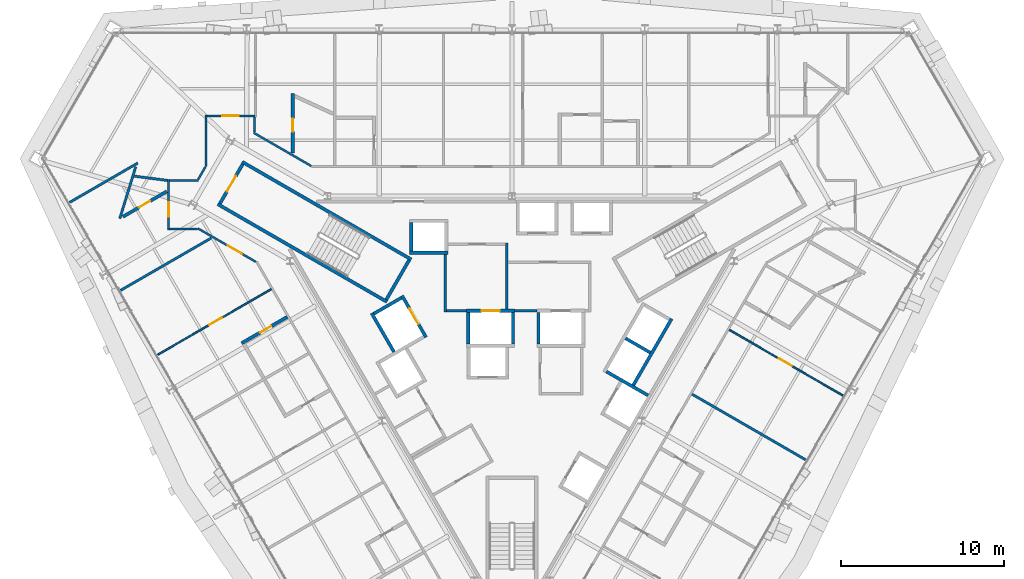
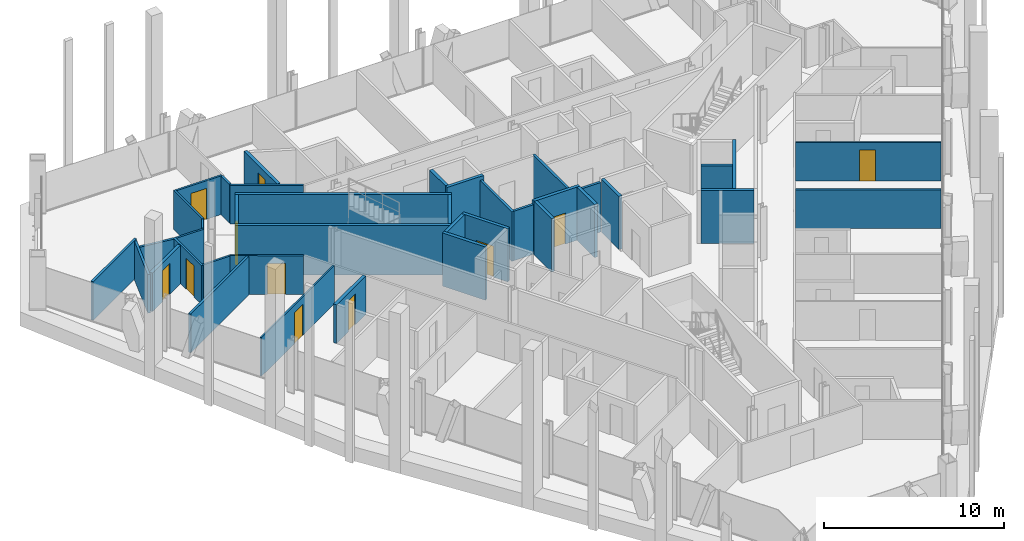
# One storey, part 15 of 19: 39 walls, 11 doors, 11 openings.
"""IFC4 building model written with IfcOpenShell, lengths in metres."""

from ifc_helpers import new_model, si_unit, direction, frame, frame_2d, origin, place, context, subcontext, project, spatial, rectangle, extrude, material, layer, layer_set, type_object, element, fill, save


model = new_model("IFC4")

# Units and contexts
model_context = context("Model", 3, precision=1e-05, world=origin(), true_north=direction((0.0, 1.0)))
body_context = subcontext(model_context, "Body", "Model", "MODEL_VIEW")
ifc_project = project(units=[si_unit("LENGTHUNIT", "METRE"), si_unit("AREAUNIT", "SQUARE_METRE"), si_unit("VOLUMEUNIT", "CUBIC_METRE"), si_unit("PLANEANGLEUNIT", "RADIAN"), si_unit("MASSUNIT", "GRAM", prefix="KILO")], contexts=[model_context])

# Site, building, storey
site_placement = place(None, origin())
site = spatial("IfcSite", under=ifc_project, at=site_placement, CompositionType="ELEMENT")
building_placement = place(site_placement, origin())
building = spatial("IfcBuilding", under=site, at=building_placement, Name="Verrane Prism Tower", CompositionType="ELEMENT")
storey_placement = place(building_placement, frame((0.0, 0.0, 121.60009765625)))
storey = spatial("IfcBuildingStorey", under=building, at=storey_placement, Name="L29", CompositionType="ELEMENT", Elevation=121.60009765625)

# Wall, opening, door
ifc_material_1 = material(Name="Concrete C40/50", Category="concrete")
ifc_layer_1 = layer(ifc_material_1, 0.199951171875)
ifc_layer_set_1 = layer_set([ifc_layer_1], Name="CW-200 stair core wall concrete C40/50 3 h")
wall_type_1 = type_object("IfcWallType", Name="CW-200 stair core wall concrete C40/50 3 h", PredefinedType="PARTITIONING", material=ifc_layer_set_1)
wall_1_placement = place(storey_placement, frame((-16.533935546875, 11.162353515625, 0.0), z_axis=(0.0, 0.0, 1.0), x_axis=(-0.49998411664, -0.866034573852, 0.0)))
wall_1 = element("IfcWall", 1, at=wall_1_placement, inside=storey, type_object=wall_type_1, Name="Stair 2 enclosure wall", PredefinedType="PARTITIONING", context=body_context, shape_type="SweptSolid", body=[
    extrude(rectangle(XDim=2.7998046875, YDim=0.199951171875, at=frame_2d((1.39990234375, 0.0))), origin(), (0.0, 0.0, 1.0), 3.349853515625),
])
opening_1_placement = place(wall_1_placement, frame((0.849853515625, 0.0, 0.0)))
opening_1 = element("IfcOpeningElement", 2, at=opening_1_placement, cuts=wall_1, Name="Opening D29501", PredefinedType="OPENING", context=body_context, shape_type="SweptSolid", body=[
    extrude(rectangle(XDim=1.10009765625, YDim=2.10009765625, at=frame_2d((0.550048828125, 1.050048828125))), frame((0.0, 0.10986328125, 0.0), z_axis=(0.0, -1.0, 0.0), x_axis=(1.0, 0.0, 0.0)), (0.0, 0.0, 1.0), 0.219970703125),
])
ifc_material_2 = material(Name="Timber veneered door leaf", Category="wood")
door_type_1 = type_object("IfcDoorType", Name="DR-1100x2100 FD90 single leaf stair", OperationType="NOTDEFINED", PredefinedType="DOOR", material=ifc_material_2)
door_1_placement = place(opening_1_placement, origin())
door_1 = element("IfcDoor", 3, at=door_1_placement, inside=storey, type_object=door_type_1, Name="Stair 2 door", OperationType="SINGLE_SWING_RIGHT", OverallHeight=2.10009765625, OverallWidth=1.10009765625, PredefinedType="DOOR", context=body_context, shape_type="SweptSolid", body=[
    extrude(rectangle(XDim=1.10009765625, YDim=2.10009765625, at=frame_2d((0.550048828125, 1.050048828125))), frame((0.0, 0.02490234375, 0.0), z_axis=(0.0, -1.0, 0.0), x_axis=(1.0, 0.0, 0.0)), (0.0, 0.0, 1.0), 0.050048828125),
])
fill(opening_1, door_1)

# Walls
for number, where, z_axis, x_axis, name in (
    (4, (-7.67822265625, 2.700927734375, 0.0), (0.0, 0.0, 1.0), (-0.866026010844, 0.49999894854, 0.0), "Stair 2 enclosure wall"),
    (5, (-6.17822265625, 5.299072265625, 0.0), (0.0, 0.0, 1.0), (-0.866026010844, 0.49999894854, 0.0), "Stair 2 enclosure wall"),
):
    element("IfcWall", number, at=place(storey_placement, frame(where, z_axis=z_axis, x_axis=x_axis)), inside=storey, type_object=wall_type_1, Name=name, PredefinedType="PARTITIONING", context=body_context, shape_type="SweptSolid", body=[
        extrude(rectangle(XDim=12.0, YDim=0.199951171875, at=frame_2d((6.0, 0.0))), origin(), (0.0, 0.0, 1.0), 3.349853515625),
    ])
wall_2_placement = place(storey_placement, frame((-6.314697265625, 5.262451171875, 0.0), z_axis=(0.0, 0.0, 1.0), x_axis=(-0.500049511043, -0.865996816683, 0.0)))
element("IfcWall", 6, at=wall_2_placement, inside=storey, type_object=wall_type_1, Name="Stair 2 enclosure wall", PredefinedType="PARTITIONING", context=body_context, shape_type="SweptSolid", body=[
    extrude(rectangle(XDim=2.800048828125, YDim=0.199951171875, at=frame_2d((1.39990234375, 0.0))), origin(), (0.0, 0.0, 1.0), 3.349853515625),
])

# Wall, opening, door
ifc_material_3 = material(Name="Gypsum board shaft wall assembly", Category="other")
ifc_layer_2 = layer(ifc_material_3, 0.199951171875)
ifc_layer_set_2 = layer_set([ifc_layer_2], Name="HW-200 lift shaft wall 2 h")
wall_type_2 = type_object("IfcWallType", Name="HW-200 lift shaft wall 2 h", PredefinedType="PARTITIONING", material=ifc_layer_set_2)
wall_3_placement = place(storey_placement, frame((-2.784912109375, 2.14990234375, 0.0), z_axis=(0.0, 0.0, 1.0), x_axis=(1.0, 0.0, 0.0)))
wall_3 = element("IfcWall", 7, at=wall_3_placement, inside=storey, type_object=wall_type_2, Name="Lift shaft wall", PredefinedType="PARTITIONING", context=body_context, shape_type="SweptSolid", body=[
    extrude(rectangle(XDim=2.949951171875, YDim=0.199951171875, at=frame_2d((1.47509765625, 0.0))), origin(), (0.0, 0.0, 1.0), 3.599853515625),
])
opening_2_placement = place(wall_3_placement, frame((0.925048828125, 0.0, 0.0)))
opening_2 = element("IfcOpeningElement", 8, at=opening_2_placement, cuts=wall_3, Name="Opening D29508", PredefinedType="OPENING", context=body_context, shape_type="SweptSolid", body=[
    extrude(rectangle(XDim=1.10009765625, YDim=2.10009765625, at=frame_2d((0.550048828125, 1.050048828125))), frame((0.0, 0.10986328125, 0.0), z_axis=(0.0, -1.0, 0.0), x_axis=(1.0, 0.0, 0.0)), (0.0, 0.0, 1.0), 0.219970703125),
])
ifc_material_4 = material(Name="Stainless steel sliding landing door", Category="steel")
door_type_2 = type_object("IfcDoorType", Name="LD-1100x2100 lift landing door FD90 sliding", OperationType="NOTDEFINED", PredefinedType="DOOR", material=ifc_material_4)
door_2_placement = place(opening_2_placement, origin())
door_2 = element("IfcDoor", 9, at=door_2_placement, inside=storey, type_object=door_type_2, Name="Fire service lift 1 landing door", OperationType="SLIDING_TO_LEFT", OverallHeight=2.10009765625, OverallWidth=1.10009765625, PredefinedType="DOOR", context=body_context, shape_type="SweptSolid", body=[
    extrude(rectangle(XDim=1.10009765625, YDim=2.10009765625, at=frame_2d((0.550048828125, 1.050048828125))), frame((0.0, 0.02490234375, 0.0), z_axis=(0.0, -1.0, 0.0), x_axis=(1.0, 0.0, 0.0)), (0.0, 0.0, 1.0), 0.050048828125),
])
fill(opening_2, door_2)

# Walls
wall_4_placement = place(storey_placement, frame((-6.284912109375, 5.7099609375, 0.0), z_axis=(0.0, 0.0, 1.0), x_axis=(1.0, 0.0, 0.0)))
element("IfcWall", 10, at=wall_4_placement, inside=storey, type_object=wall_type_2, Name="Lift shaft wall", PredefinedType="PARTITIONING", context=body_context, shape_type="SweptSolid", body=[
    extrude(rectangle(XDim=2.349853515625, YDim=0.199951171875, at=frame_2d((1.1748046875, 0.0))), origin(), (0.0, 0.0, 1.0), 3.599853515625),
])
wall_5_placement = place(storey_placement, frame((-8.48046875, 1.968505859375, 0.0), z_axis=(0.0, 0.0, 1.0), x_axis=(0.866000020948, 0.500043961785, 0.0)))
element("IfcWall", 11, at=wall_5_placement, inside=storey, type_object=wall_type_2, Name="Lift shaft wall", PredefinedType="PARTITIONING", context=body_context, shape_type="SweptSolid", body=[
    extrude(rectangle(XDim=1.949951171875, YDim=0.199951171875, at=frame_2d((0.97509765625, 0.0))), origin(), (0.0, 0.0, 1.0), 3.599853515625),
])
wall_6_placement = place(storey_placement, frame((7.451171875, -2.4140625, 0.0), z_axis=(0.0, 0.0, 1.0), x_axis=(0.500016218704, 0.866016039709, 0.0)))
element("IfcWall", 12, at=wall_6_placement, inside=storey, type_object=wall_type_2, Name="Lift shaft wall", PredefinedType="PARTITIONING", context=body_context, shape_type="SweptSolid", body=[
    extrude(rectangle(XDim=4.699951171875, YDim=0.199951171875, at=frame_2d((2.35009765625, 0.0))), origin(), (0.0, 0.0, 1.0), 3.599853515625),
])
for number, where, z_axis, x_axis, name in (
    (13, (1.625, 0.10009765625, 0.0), (0.0, 0.0, 1.0), (0.0, 1.0, 0.0), "Lift shaft wall"),
    (14, (0.06494140625, 0.10009765625, 0.0), (0.0, 0.0, 1.0), (0.0, 1.0, 0.0), "Lift shaft wall"),
    (15, (-2.68505859375, 0.10009765625, 0.0), (0.0, 0.0, 1.0), (0.0, 1.0, 0.0), "Lift shaft wall"),
):
    element("IfcWall", number, at=place(storey_placement, frame(where, z_axis=z_axis, x_axis=x_axis)), inside=storey, type_object=wall_type_2, Name=name, PredefinedType="PARTITIONING", context=body_context, shape_type="SweptSolid", body=[
        extrude(rectangle(XDim=1.949951171875, YDim=0.199951171875, at=frame_2d((0.97509765625, 0.0))), origin(), (0.0, 0.0, 1.0), 3.599853515625),
    ])
wall_7_placement = place(storey_placement, frame((-6.18505859375, 5.81005859375, 0.0), z_axis=(0.0, 0.0, 1.0), x_axis=(0.0, 1.0, 0.0)))
element("IfcWall", 16, at=wall_7_placement, inside=storey, type_object=wall_type_2, Name="Lift shaft wall", PredefinedType="PARTITIONING", context=body_context, shape_type="SweptSolid", body=[
    extrude(rectangle(XDim=1.75, YDim=0.199951171875, at=frame_2d((0.875, 0.0))), origin(), (0.0, 0.0, 1.0), 3.599853515625),
])

# Wall, opening, door
wall_8_placement = place(storey_placement, frame((-5.280029296875, 0.525390625, 0.0), z_axis=(0.0, 0.0, 1.0), x_axis=(-0.500037662692, 0.866003658127, 0.0)))
wall_8 = element("IfcWall", 17, at=wall_8_placement, inside=storey, type_object=wall_type_2, Name="Lift shaft wall", PredefinedType="PARTITIONING", context=body_context, shape_type="SweptSolid", body=[
    extrude(rectangle(XDim=2.949951171875, YDim=0.199951171875, at=frame_2d((1.47509765625, 0.0))), origin(), (0.0, 0.0, 1.0), 3.599853515625),
])
opening_3_placement = place(wall_8_placement, frame((0.925048828125, 0.0, 0.0)))
opening_3 = element("IfcOpeningElement", 18, at=opening_3_placement, cuts=wall_8, Name="Opening D29510", PredefinedType="OPENING", context=body_context, shape_type="SweptSolid", body=[
    extrude(rectangle(XDim=1.10009765625, YDim=2.10009765625, at=frame_2d((0.550048828125, 1.050048828125))), frame((0.0, 0.10986328125, 0.0), z_axis=(0.0, -1.0, 0.0), x_axis=(1.0, 0.0, 0.0)), (0.0, 0.0, 1.0), 0.219970703125),
])
door_3_placement = place(opening_3_placement, origin())
door_3 = element("IfcDoor", 19, at=door_3_placement, inside=storey, type_object=door_type_2, Name="Service lift 1 landing door", OperationType="SLIDING_TO_LEFT", OverallHeight=2.10009765625, OverallWidth=1.10009765625, PredefinedType="DOOR", context=body_context, shape_type="SweptSolid", body=[
    extrude(rectangle(XDim=1.10009765625, YDim=2.10009765625, at=frame_2d((0.550048828125, 1.050048828125))), frame((0.0, 0.02490234375, 0.0), z_axis=(0.0, -1.0, 0.0), x_axis=(1.0, 0.0, 0.0)), (0.0, 0.0, 1.0), 0.050048828125),
])
fill(opening_3, door_3)

# Walls
wall_9_placement = place(storey_placement, frame((-7.241943359375, -0.37646484375, 0.0), z_axis=(0.0, 0.0, 1.0), x_axis=(-0.499996545922, 0.866027397988, 0.0)))
element("IfcWall", 20, at=wall_9_placement, inside=storey, type_object=wall_type_2, Name="Lift shaft wall", PredefinedType="PARTITIONING", context=body_context, shape_type="SweptSolid", body=[
    extrude(rectangle(XDim=2.75, YDim=0.199951171875, at=frame_2d((1.375, 0.0))), origin(), (0.0, 0.0, 1.0), 3.599853515625),
])
wall_10_placement = place(storey_placement, frame((8.48974609375, -0.41552734375, 0.0), z_axis=(0.0, 0.0, 1.0), x_axis=(-0.866036909293, 0.499980071345, 0.0)))
element("IfcWall", 21, at=wall_10_placement, inside=storey, type_object=wall_type_2, Name="Lift shaft wall", PredefinedType="PARTITIONING", context=body_context, shape_type="SweptSolid", body=[
    extrude(rectangle(XDim=1.75, YDim=0.199951171875, at=frame_2d((0.875, 0.0))), origin(), (0.0, 0.0, 1.0), 3.599853515625),
])
wall_11_placement = place(storey_placement, frame((8.35400390625, -3.050537109375, 0.0), z_axis=(0.0, 0.0, 1.0), x_axis=(-0.866060182126, 0.499939757307, 0.0)))
element("IfcWall", 22, at=wall_11_placement, inside=storey, type_object=wall_type_2, Name="Lift shaft wall", PredefinedType="PARTITIONING", context=body_context, shape_type="SweptSolid", body=[
    extrude(rectangle(XDim=2.949951171875, YDim=0.199951171875, at=frame_2d((1.47509765625, 0.0))), origin(), (0.0, 0.0, 1.0), 3.599853515625),
])
ifc_material_5 = material(Name="Gypsum board partition", Category="other")
ifc_layer_3 = layer(ifc_material_5, 0.14990234375)
ifc_layer_set_3 = layer_set([ifc_layer_3], Name="LF-150 firefighting lobby wall 1 h")
wall_type_3 = type_object("IfcWallType", Name="LF-150 firefighting lobby wall 1 h", PredefinedType="PARTITIONING", material=ifc_layer_set_3)
wall_12_placement = place(storey_placement, frame((-4.10009765625, 2.0849609375, 0.0), z_axis=(0.0, 0.0, 1.0), x_axis=(0.0, 1.0, 0.0)))
element("IfcWall", 23, at=wall_12_placement, inside=storey, type_object=wall_type_3, Name="Firefighting lobby wall LF1-001", PredefinedType="PARTITIONING", context=body_context, shape_type="SweptSolid", body=[
    extrude(rectangle(XDim=3.52294921875, YDim=0.14990234375, at=frame_2d((1.761474609375, 0.0))), origin(), (0.0, 0.0, 1.0), 3.349853515625),
])
wall_13_placement = place(storey_placement, frame((-4.02490234375, 2.159912109375, 0.0), z_axis=(0.0, 0.0, 1.0), x_axis=(1.0, 0.0, 0.0)))
element("IfcWall", 24, at=wall_13_placement, inside=storey, type_object=wall_type_3, Name="Firefighting lobby wall LF1-002", PredefinedType="PARTITIONING", context=body_context, shape_type="SweptSolid", body=[
    extrude(rectangle(XDim=1.23779296875, YDim=0.14990234375, at=frame_2d((0.618896484375, 0.0))), origin(), (0.0, 0.0, 1.0), 3.349853515625),
])
wall_14_placement = place(storey_placement, frame((-0.320068359375, 2.251953125, 0.0), z_axis=(0.0, 0.0, 1.0), x_axis=(0.0, 1.0, 0.0)))
element("IfcWall", 25, at=wall_14_placement, inside=storey, type_object=wall_type_3, Name="Firefighting lobby wall LF1-004", PredefinedType="PARTITIONING", context=body_context, shape_type="SweptSolid", body=[
    extrude(rectangle(XDim=4.06298828125, YDim=0.14990234375, at=frame_2d((2.031494140625, 0.0))), origin(), (0.0, 0.0, 1.0), 3.349853515625),
])
wall_15_placement = place(storey_placement, frame((0.1669921875, 2.159912109375, 0.0), z_axis=(0.0, 0.0, 1.0), x_axis=(1.0, 0.0, 0.0)))
element("IfcWall", 26, at=wall_15_placement, inside=storey, type_object=wall_type_3, Name="Firefighting lobby wall LF1-006", PredefinedType="PARTITIONING", context=body_context, shape_type="SweptSolid", body=[
    extrude(rectangle(XDim=1.35595703125, YDim=0.14990234375, at=frame_2d((0.677978515625, 0.0))), origin(), (0.0, 0.0, 1.0), 3.349853515625),
])

# Wall, opening, door
ifc_material_6 = material(Name="Gypsum board partition", Category="other")
ifc_layer_4 = layer(ifc_material_6, 0.10009765625)
ifc_layer_set_4 = layer_set([ifc_layer_4], Name="PW-100 room partition")
wall_type_4 = type_object("IfcWallType", Name="PW-100 room partition", PredefinedType="PARTITIONING", material=ifc_layer_set_4)
wall_16_placement = place(storey_placement, frame((-14.7822265625, 3.477783203125, 0.0), z_axis=(0.0, 0.0, 1.0), x_axis=(-0.866049767202, -0.499957798949, 0.0)))
wall_16 = element("IfcWall", 27, at=wall_16_placement, inside=storey, type_object=wall_type_4, Name="Room partition 006", PredefinedType="PARTITIONING", context=body_context, shape_type="SweptSolid", body=[
    extrude(rectangle(XDim=8.052001953125, YDim=0.10009765625, at=frame_2d((4.02587890625, 0.0))), origin(), (0.0, 0.0, 1.0), 2.61279296875),
])
opening_4_placement = place(wall_16_placement, frame((3.498291015625, 0.0, 0.0)))
opening_4 = element("IfcOpeningElement", 28, at=opening_4_placement, cuts=wall_16, Name="Opening D29017", PredefinedType="OPENING", context=body_context, shape_type="SweptSolid", body=[
    extrude(rectangle(XDim=0.89990234375, YDim=2.10009765625, at=frame_2d((0.449951171875, 1.050048828125))), frame((0.0, 0.06005859375, 0.0), z_axis=(0.0, -1.0, 0.0), x_axis=(1.0, 0.0, 0.0)), (0.0, 0.0, 1.0), 0.1201171875),
])
ifc_material_7 = material(Name="Timber veneered door leaf", Category="wood")
door_type_3 = type_object("IfcDoorType", Name="DR-900x2100 single leaf inner", OperationType="NOTDEFINED", PredefinedType="DOOR", material=ifc_material_7)
door_4_placement = place(opening_4_placement, origin())
door_4 = element("IfcDoor", 29, at=door_4_placement, inside=storey, type_object=door_type_3, Name="Suite Living Room door", OperationType="SINGLE_SWING_RIGHT", OverallHeight=2.10009765625, OverallWidth=0.89990234375, PredefinedType="DOOR", context=body_context, shape_type="SweptSolid", body=[
    extrude(rectangle(XDim=0.89990234375, YDim=2.10009765625, at=frame_2d((0.449951171875, 1.050048828125))), frame((0.0, 0.02490234375, 0.0), z_axis=(0.0, -1.0, 0.0), x_axis=(1.0, 0.0, 0.0)), (0.0, 0.0, 1.0), 0.050048828125),
])
fill(opening_4, door_4)

wall_17_placement = place(storey_placement, frame((13.341064453125, 0.981689453125, 0.0), z_axis=(0.0, 0.0, 1.0), x_axis=(0.865974505336, -0.500088148337, 0.0)))
wall_17 = element("IfcWall", 30, at=wall_17_placement, inside=storey, type_object=wall_type_4, Name="Room partition 062", PredefinedType="PARTITIONING", context=body_context, shape_type="SweptSolid", body=[
    extrude(rectangle(XDim=8.0517578125, YDim=0.10009765625, at=frame_2d((4.02587890625, 0.0))), origin(), (0.0, 0.0, 1.0), 2.61279296875),
])
opening_5_placement = place(wall_17_placement, frame((3.53759765625, 0.0, 0.0)))
opening_5 = element("IfcOpeningElement", 31, at=opening_5_placement, cuts=wall_17, Name="Opening D29036", PredefinedType="OPENING", context=body_context, shape_type="SweptSolid", body=[
    extrude(rectangle(XDim=0.89990234375, YDim=2.10009765625, at=frame_2d((0.449951171875, 1.050048828125))), frame((0.0, 0.06005859375, 0.0), z_axis=(0.0, -1.0, 0.0), x_axis=(1.0, 0.0, 0.0)), (0.0, 0.0, 1.0), 0.1201171875),
])
door_5_placement = place(opening_5_placement, origin())
door_5 = element("IfcDoor", 32, at=door_5_placement, inside=storey, type_object=door_type_3, Name="Suite Living Room door", OperationType="SINGLE_SWING_RIGHT", OverallHeight=2.10009765625, OverallWidth=0.89990234375, PredefinedType="DOOR", context=body_context, shape_type="SweptSolid", body=[
    extrude(rectangle(XDim=0.89990234375, YDim=2.10009765625, at=frame_2d((0.449951171875, 1.050048828125))), frame((0.0, 0.02490234375, 0.0), z_axis=(0.0, -1.0, 0.0), x_axis=(1.0, 0.0, 0.0)), (0.0, 0.0, 1.0), 0.050048828125),
])
fill(opening_5, door_5)

ifc_material_8 = material(Name="Gypsum board partition", Category="other")
ifc_layer_5 = layer(ifc_material_8, 0.125)
ifc_layer_set_5 = layer_set([ifc_layer_5], Name="PW-125 corridor wall 1 h")
wall_type_5 = type_object("IfcWallType", Name="PW-125 corridor wall 1 h", PredefinedType="PARTITIONING", material=ifc_layer_set_5)
wall_18_placement = place(storey_placement, frame((-21.0869140625, 7.110595703125, 0.0), z_axis=(0.0, 0.0, 1.0), x_axis=(0.0, 1.0, 0.0)))
wall_18 = element("IfcWall", 33, at=wall_18_placement, inside=storey, type_object=wall_type_5, Name="Corridor wall 007", PredefinedType="PARTITIONING", context=body_context, shape_type="SweptSolid", body=[
    extrude(rectangle(XDim=3.098876953125, YDim=0.125, at=frame_2d((1.54931640625, 0.0))), origin(), (0.0, 0.0, 1.0), 2.61279296875),
])
opening_6_placement = place(wall_18_placement, frame((0.8125, 0.0, 0.0)))
opening_6 = element("IfcOpeningElement", 34, at=opening_6_placement, cuts=wall_18, Name="Opening D29014", PredefinedType="OPENING", context=body_context, shape_type="SweptSolid", body=[
    extrude(rectangle(XDim=0.89990234375, YDim=2.10009765625, at=frame_2d((0.449951171875, 1.050048828125))), frame((0.0, 0.072509765625, 0.0), z_axis=(0.0, -1.0, 0.0), x_axis=(1.0, 0.0, 0.0)), (0.0, 0.0, 1.0), 0.14501953125),
])
ifc_material_9 = material(Name="Timber veneered door leaf", Category="wood")
door_type_4 = type_object("IfcDoorType", Name="DR-900x2100 FD20 single leaf unit", OperationType="NOTDEFINED", PredefinedType="DOOR", material=ifc_material_9)
door_6_placement = place(opening_6_placement, origin())
door_6 = element("IfcDoor", 35, at=door_6_placement, inside=storey, type_object=door_type_4, Name="Junior Suite door", OperationType="SINGLE_SWING_RIGHT", OverallHeight=2.10009765625, OverallWidth=0.89990234375, PredefinedType="DOOR", context=body_context, shape_type="SweptSolid", body=[
    extrude(rectangle(XDim=0.89990234375, YDim=2.10009765625, at=frame_2d((0.449951171875, 1.050048828125))), frame((0.0, 0.02490234375, 0.0), z_axis=(0.0, -1.0, 0.0), x_axis=(1.0, 0.0, 0.0)), (0.0, 0.0, 1.0), 0.050048828125),
])
fill(opening_6, door_6)

# Walls
wall_19_placement = place(storey_placement, frame((-21.02197265625, 7.173095703125, 0.0), z_axis=(0.0, 0.0, 1.0), x_axis=(1.0, 0.0, 0.0)))
element("IfcWall", 36, at=wall_19_placement, inside=storey, type_object=wall_type_5, Name="Corridor wall 008", PredefinedType="PARTITIONING", context=body_context, shape_type="SweptSolid", body=[
    extrude(rectangle(XDim=1.712890625, YDim=0.125, at=frame_2d((0.8564453125, 0.0))), origin(), (0.0, 0.0, 1.0), 2.61279296875),
])
wall_20_placement = place(storey_placement, frame((-21.02197265625, 10.14697265625, 0.0), z_axis=(0.0, 0.0, 1.0), x_axis=(1.0, 0.0, 0.0)))
element("IfcWall", 37, at=wall_20_placement, inside=storey, type_object=wall_type_5, Name="Corridor wall 009", PredefinedType="PARTITIONING", context=body_context, shape_type="SweptSolid", body=[
    extrude(rectangle(XDim=1.7705078125, YDim=0.125, at=frame_2d((0.88525390625, 0.0))), origin(), (0.0, 0.0, 1.0), 2.61279296875),
])
wall_21_placement = place(storey_placement, frame((-19.271484375, 10.220703125, 0.0), z_axis=(0.0, 0.0, 1.0), x_axis=(0.499881837328, 0.866093614288, 0.0)))
element("IfcWall", 38, at=wall_21_placement, inside=storey, type_object=wall_type_5, Name="Corridor wall 011", PredefinedType="PARTITIONING", context=body_context, shape_type="SweptSolid", body=[
    extrude(rectangle(XDim=0.884033203125, YDim=0.125, at=frame_2d((0.44189453125, 0.0))), origin(), (0.0, 0.0, 1.0), 2.61279296875),
])

# Wall, opening, door
wall_22_placement = place(storey_placement, frame((-15.7265625, 5.153564453125, 0.0), z_axis=(0.0, 0.0, 1.0), x_axis=(-0.865992261418, 0.50005739987, 0.0)))
wall_22 = element("IfcWall", 39, at=wall_22_placement, inside=storey, type_object=wall_type_5, Name="Corridor wall 012", PredefinedType="PARTITIONING", context=body_context, shape_type="SweptSolid", body=[
    extrude(rectangle(XDim=4.10107421875, YDim=0.125, at=frame_2d((2.050537109375, 0.0))), origin(), (0.0, 0.0, 1.0), 2.61279296875),
])
opening_7_placement = place(wall_22_placement, frame((0.99755859375, 0.0, 0.0)))
opening_7 = element("IfcOpeningElement", 40, at=opening_7_placement, cuts=wall_22, Name="Opening D29016", PredefinedType="OPENING", context=body_context, shape_type="SweptSolid", body=[
    extrude(rectangle(XDim=1.0, YDim=2.10009765625, at=frame_2d((0.5, 1.050048828125))), frame((0.0, 0.072509765625, 0.0), z_axis=(0.0, -1.0, 0.0), x_axis=(1.0, 0.0, 0.0)), (0.0, 0.0, 1.0), 0.14501953125),
])
ifc_material_10 = material(Name="Timber veneered door leaf", Category="wood")
door_type_5 = type_object("IfcDoorType", Name="DR-1000x2100 FD20 single leaf unit", OperationType="NOTDEFINED", PredefinedType="DOOR", material=ifc_material_10)
door_7_placement = place(opening_7_placement, origin())
door_7 = element("IfcDoor", 41, at=door_7_placement, inside=storey, type_object=door_type_5, Name="Suite Living Room door", OperationType="SINGLE_SWING_LEFT", OverallHeight=2.10009765625, OverallWidth=1.0, PredefinedType="DOOR", context=body_context, shape_type="SweptSolid", body=[
    extrude(rectangle(XDim=1.0, YDim=2.10009765625, at=frame_2d((0.5, 1.050048828125))), frame((0.0, 0.02490234375, 0.0), z_axis=(0.0, -1.0, 0.0), x_axis=(1.0, 0.0, 0.0)), (0.0, 0.0, 1.0), 0.050048828125),
])
fill(opening_7, door_7)

# Wall
wall_23_placement = place(storey_placement, frame((-18.787109375, 10.99755859375, 0.0), z_axis=(0.0, 0.0, 1.0), x_axis=(0.0, 1.0, 0.0)))
element("IfcWall", 42, at=wall_23_placement, inside=storey, type_object=wall_type_5, Name="Corridor wall 013", PredefinedType="PARTITIONING", context=body_context, shape_type="SweptSolid", body=[
    extrude(rectangle(XDim=3.19189453125, YDim=0.125, at=frame_2d((1.595947265625, 0.0))), origin(), (0.0, 0.0, 1.0), 2.61279296875),
])

# Wall, opening, door
wall_24_placement = place(storey_placement, frame((-18.721923828125, 14.126953125, 0.0), z_axis=(0.0, 0.0, 1.0), x_axis=(1.0, 0.0, 0.0)))
wall_24 = element("IfcWall", 43, at=wall_24_placement, inside=storey, type_object=wall_type_5, Name="Corridor wall 014", PredefinedType="PARTITIONING", context=body_context, shape_type="SweptSolid", body=[
    extrude(rectangle(XDim=2.926513671875, YDim=0.125, at=frame_2d((1.46337890625, 0.0))), origin(), (0.0, 0.0, 1.0), 2.61279296875),
])
opening_8_placement = place(wall_24_placement, frame((0.93505859375, 0.0, 0.0)))
opening_8 = element("IfcOpeningElement", 44, at=opening_8_placement, cuts=wall_24, Name="Opening D29011", PredefinedType="OPENING", context=body_context, shape_type="SweptSolid", body=[
    extrude(rectangle(XDim=1.0, YDim=2.10009765625, at=frame_2d((0.5, 1.050048828125))), frame((0.0, 0.072509765625, 0.0), z_axis=(0.0, -1.0, 0.0), x_axis=(1.0, 0.0, 0.0)), (0.0, 0.0, 1.0), 0.14501953125),
])
door_8_placement = place(opening_8_placement, origin())
door_8 = element("IfcDoor", 45, at=door_8_placement, inside=storey, type_object=door_type_5, Name="Suite Living Room door", OperationType="SINGLE_SWING_LEFT", OverallHeight=2.10009765625, OverallWidth=1.0, PredefinedType="DOOR", context=body_context, shape_type="SweptSolid", body=[
    extrude(rectangle(XDim=1.0, YDim=2.10009765625, at=frame_2d((0.5, 1.050048828125))), frame((0.0, 0.02490234375, 0.0), z_axis=(0.0, -1.0, 0.0), x_axis=(1.0, 0.0, 0.0)), (0.0, 0.0, 1.0), 0.050048828125),
])
fill(opening_8, door_8)

# Walls
wall_25_placement = place(storey_placement, frame((-15.81298828125, 13.139892578125, 0.0), z_axis=(0.0, 0.0, 1.0), x_axis=(0.0, 1.0, 0.0)))
element("IfcWall", 46, at=wall_25_placement, inside=storey, type_object=wall_type_5, Name="Corridor wall 018", PredefinedType="PARTITIONING", context=body_context, shape_type="SweptSolid", body=[
    extrude(rectangle(XDim=0.922119140625, YDim=0.125, at=frame_2d((0.4609375, 0.0))), origin(), (0.0, 0.0, 1.0), 2.61279296875),
])
wall_26_placement = place(storey_placement, frame((-15.8671875, 13.086181640625, 0.0), z_axis=(0.0, 0.0, 1.0), x_axis=(0.866070231021, -0.499922348909, 0.0)))
element("IfcWall", 47, at=wall_26_placement, inside=storey, type_object=wall_type_5, Name="Corridor wall 019", PredefinedType="PARTITIONING", context=body_context, shape_type="SweptSolid", body=[
    extrude(rectangle(XDim=4.088134765625, YDim=0.125, at=frame_2d((2.0439453125, 0.0))), origin(), (0.0, 0.0, 1.0), 2.61279296875),
])
ifc_material_11 = material(Name="Gypsum board partition", Category="other")
ifc_layer_6 = layer(ifc_material_11, 0.14990234375)
ifc_layer_set_6 = layer_set([ifc_layer_6], Name="PW-150 demising wall 1 h")
wall_type_6 = type_object("IfcWallType", Name="PW-150 demising wall 1 h", PredefinedType="PARTITIONING", material=ifc_layer_set_6)
wall_27_placement = place(storey_placement, frame((-27.15966796875, 8.81201171875, 0.0), z_axis=(0.0, 0.0, 1.0), x_axis=(0.866019508262, 0.500010211206, 0.0)))
element("IfcWall", 48, at=wall_27_placement, inside=storey, type_object=wall_type_6, Name="Demising wall 001", PredefinedType="PARTITIONING", context=body_context, shape_type="SweptSolid", body=[
    extrude(rectangle(XDim=4.82275390625, YDim=0.14990234375, at=frame_2d((2.411376953125, 0.0))), origin(), (0.0, 0.0, 1.0), 2.61279296875),
])
wall_28_placement = place(storey_placement, frame((-24.0869140625, 7.81494140625, 0.0), z_axis=(0.0, 0.0, 1.0), x_axis=(0.294507330173, 0.955649220412, 0.0)))
element("IfcWall", 49, at=wall_28_placement, inside=storey, type_object=wall_type_6, Name="Demising wall 002", PredefinedType="PARTITIONING", context=body_context, shape_type="SweptSolid", body=[
    extrude(rectangle(XDim=3.33740234375, YDim=0.14990234375, at=frame_2d((1.668701171875, 0.0))), origin(), (0.0, 0.0, 1.0), 2.61279296875),
])
wall_29_placement = place(storey_placement, frame((-24.037109375, 3.40380859375, 0.0), z_axis=(0.0, 0.0, 1.0), x_axis=(0.866018103795, 0.50001264374, 0.0)))
element("IfcWall", 50, at=wall_29_placement, inside=storey, type_object=wall_type_6, Name="Demising wall 004", PredefinedType="PARTITIONING", context=body_context, shape_type="SweptSolid", body=[
    extrude(rectangle(XDim=6.432861328125, YDim=0.14990234375, at=frame_2d((3.21630859375, 0.0))), origin(), (0.0, 0.0, 1.0), 2.61279296875),
])
wall_30_placement = place(storey_placement, frame((-23.192626953125, 10.418701171875, 0.0), z_axis=(0.0, 0.0, 1.0), x_axis=(0.991775429183, -0.127990226455, 0.0)))
element("IfcWall", 51, at=wall_30_placement, inside=storey, type_object=wall_type_6, Name="Demising wall 005", PredefinedType="PARTITIONING", context=body_context, shape_type="SweptSolid", body=[
    extrude(rectangle(XDim=2.050537109375, YDim=0.14990234375, at=frame_2d((1.025390625, 0.0))), origin(), (0.0, 0.0, 1.0), 2.61279296875),
])
wall_31_placement = place(storey_placement, frame((11.05908203125, -2.97021484375, 0.0), z_axis=(0.0, 0.0, 1.0), x_axis=(0.865968957472, -0.500097755139, 0.0)))
element("IfcWall", 52, at=wall_31_placement, inside=storey, type_object=wall_type_6, Name="Demising wall 060", PredefinedType="PARTITIONING", context=body_context, shape_type="SweptSolid", body=[
    extrude(rectangle(XDim=8.05224609375, YDim=0.14990234375, at=frame_2d((4.026123046875, 0.0))), origin(), (0.0, 0.0, 1.0), 2.61279296875),
])

# Wall, opening, door
ifc_material_12 = material(Name="Gypsum board partition", Category="other")
ifc_layer_7 = layer(ifc_material_12, 0.199951171875)
ifc_layer_set_7 = layer_set([ifc_layer_7], Name="PW-200 plumbing wall")
wall_type_7 = type_object("IfcWallType", Name="PW-200 plumbing wall", PredefinedType="PARTITIONING", material=ifc_layer_set_7)
wall_32_placement = place(storey_placement, frame((-23.90087890625, 7.922607421875, 0.0), z_axis=(0.0, 0.0, 1.0), x_axis=(0.866072196304, 0.49991894422, 0.0)))
wall_32 = element("IfcWall", 53, at=wall_32_placement, inside=storey, type_object=wall_type_7, Name="Plumbing wall 003", PredefinedType="PARTITIONING", context=body_context, shape_type="SweptSolid", body=[
    extrude(rectangle(XDim=3.119140625, YDim=0.199951171875, at=frame_2d((1.5595703125, 0.0))), origin(), (0.0, 0.0, 1.0), 2.61279296875),
])
opening_9_placement = place(wall_32_placement, frame((1.135009765625, 0.0, 0.0)))
opening_9 = element("IfcOpeningElement", 54, at=opening_9_placement, cuts=wall_32, Name="Opening D29015", PredefinedType="OPENING", context=body_context, shape_type="SweptSolid", body=[
    extrude(rectangle(XDim=0.800048828125, YDim=2.10009765625, at=frame_2d((0.39990234375, 1.050048828125))), frame((0.0, 0.10986328125, 0.0), z_axis=(0.0, -1.0, 0.0), x_axis=(1.0, 0.0, 0.0)), (0.0, 0.0, 1.0), 0.219970703125),
])
ifc_material_13 = material(Name="Timber veneered door leaf", Category="wood")
door_type_6 = type_object("IfcDoorType", Name="DR-800x2100 single leaf bath", OperationType="NOTDEFINED", PredefinedType="DOOR", material=ifc_material_13)
door_9_placement = place(opening_9_placement, origin())
door_9 = element("IfcDoor", 55, at=door_9_placement, inside=storey, type_object=door_type_6, Name="En-Suite door", OperationType="SINGLE_SWING_LEFT", OverallHeight=2.10009765625, OverallWidth=0.800048828125, PredefinedType="DOOR", context=body_context, shape_type="SweptSolid", body=[
    extrude(rectangle(XDim=0.800048828125, YDim=2.10009765625, at=frame_2d((0.39990234375, 1.050048828125))), frame((0.0, 0.02490234375, 0.0), z_axis=(0.0, -1.0, 0.0), x_axis=(1.0, 0.0, 0.0)), (0.0, 0.0, 1.0), 0.050048828125),
])
fill(opening_9, door_9)

wall_33_placement = place(storey_placement, frame((-13.800048828125, 1.77685546875, 0.0), z_axis=(0.0, 0.0, 1.0), x_axis=(-0.865983377851, -0.500072783988, 0.0)))
wall_33 = element("IfcWall", 56, at=wall_33_placement, inside=storey, type_object=wall_type_7, Name="Plumbing wall 017", PredefinedType="PARTITIONING", context=body_context, shape_type="SweptSolid", body=[
    extrude(rectangle(XDim=3.2373046875, YDim=0.199951171875, at=frame_2d((1.61865234375, 0.0))), origin(), (0.0, 0.0, 1.0), 2.61279296875),
])
opening_10_placement = place(wall_33_placement, frame((1.13720703125, 0.0, 0.0)))
opening_10 = element("IfcOpeningElement", 57, at=opening_10_placement, cuts=wall_33, Name="Opening D29018", PredefinedType="OPENING", context=body_context, shape_type="SweptSolid", body=[
    extrude(rectangle(XDim=0.800048828125, YDim=2.10009765625, at=frame_2d((0.39990234375, 1.050048828125))), frame((0.0, 0.10986328125, 0.0), z_axis=(0.0, -1.0, 0.0), x_axis=(1.0, 0.0, 0.0)), (0.0, 0.0, 1.0), 0.219970703125),
])
door_10_placement = place(opening_10_placement, origin())
door_10 = element("IfcDoor", 58, at=door_10_placement, inside=storey, type_object=door_type_6, Name="En-Suite door", OperationType="SINGLE_SWING_LEFT", OverallHeight=2.10009765625, OverallWidth=0.800048828125, PredefinedType="DOOR", context=body_context, shape_type="SweptSolid", body=[
    extrude(rectangle(XDim=0.800048828125, YDim=2.10009765625, at=frame_2d((0.39990234375, 1.050048828125))), frame((0.0, 0.02490234375, 0.0), z_axis=(0.0, -1.0, 0.0), x_axis=(1.0, 0.0, 0.0)), (0.0, 0.0, 1.0), 0.050048828125),
])
fill(opening_10, door_10)

wall_34_placement = place(storey_placement, frame((-13.469970703125, 15.498046875, 0.0), z_axis=(0.0, 0.0, 1.0), x_axis=(0.0, -1.0, 0.0)))
wall_34 = element("IfcWall", 59, at=wall_34_placement, inside=storey, type_object=wall_type_7, Name="Plumbing wall 025", PredefinedType="PARTITIONING", context=body_context, shape_type="SweptSolid", body=[
    extrude(rectangle(XDim=3.6650390625, YDim=0.199951171875, at=frame_2d((1.83251953125, 0.0))), origin(), (0.0, 0.0, 1.0), 2.61279296875),
])
opening_11_placement = place(wall_34_placement, frame((1.544921875, 0.0, 0.0)))
opening_11 = element("IfcOpeningElement", 60, at=opening_11_placement, cuts=wall_34, Name="Opening D29013", PredefinedType="OPENING", context=body_context, shape_type="SweptSolid", body=[
    extrude(rectangle(XDim=0.800048828125, YDim=2.10009765625, at=frame_2d((0.39990234375, 1.050048828125))), frame((0.0, 0.10986328125, 0.0), z_axis=(0.0, -1.0, 0.0), x_axis=(1.0, 0.0, 0.0)), (0.0, 0.0, 1.0), 0.219970703125),
])
door_11_placement = place(opening_11_placement, origin())
door_11 = element("IfcDoor", 61, at=door_11_placement, inside=storey, type_object=door_type_6, Name="En-Suite door", OperationType="SINGLE_SWING_RIGHT", OverallHeight=2.10009765625, OverallWidth=0.800048828125, PredefinedType="DOOR", context=body_context, shape_type="SweptSolid", body=[
    extrude(rectangle(XDim=0.800048828125, YDim=2.10009765625, at=frame_2d((0.39990234375, 1.050048828125))), frame((0.0, 0.02490234375, 0.0), z_axis=(0.0, -1.0, 0.0), x_axis=(1.0, 0.0, 0.0)), (0.0, 0.0, 1.0), 0.050048828125),
])
fill(opening_11, door_11)

save(model, "model.ifc")
